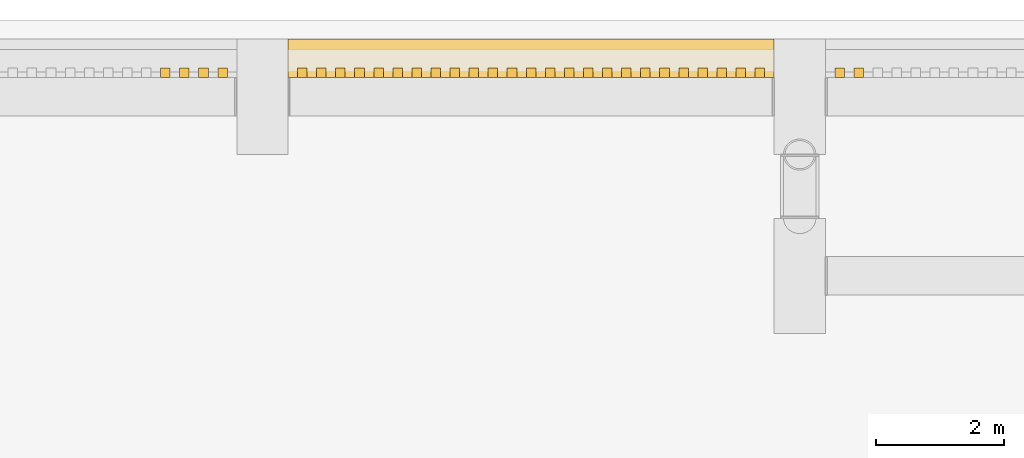
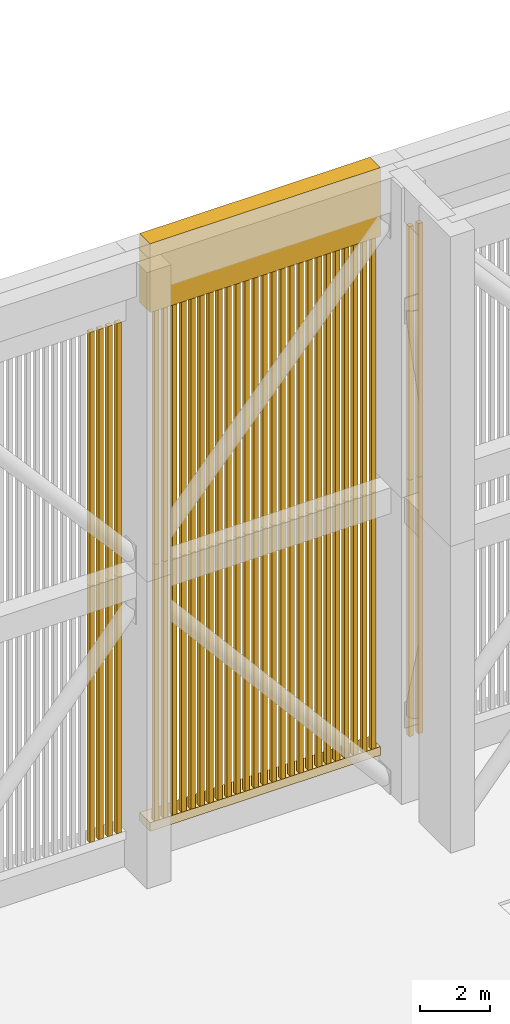
# One storey, part 23 of 27: 62 shading devices, 2 coverings.
"""IFC4 building model written with IfcOpenShell, lengths in metres."""

from ifc_helpers import new_model, si_unit, direction, frame, origin, origin_2d, place, context, subcontext, project, spatial, rectangle, extrude, material, layer, layer_set, type_object, element, save


model = new_model("IFC4")

# Units and contexts
model_context = context("Model", 3, precision=1e-05, world=origin(), true_north=direction((0.0, 1.0)))
body_context = subcontext(model_context, "Body", "Model", "MODEL_VIEW")
ifc_project = project(units=[si_unit("LENGTHUNIT", "METRE"), si_unit("AREAUNIT", "SQUARE_METRE"), si_unit("VOLUMEUNIT", "CUBIC_METRE"), si_unit("PLANEANGLEUNIT", "RADIAN"), si_unit("MASSUNIT", "GRAM", prefix="KILO")], contexts=[model_context])

# Site, building, storey
site_placement = place(None, origin())
site = spatial("IfcSite", under=ifc_project, at=site_placement, CompositionType="ELEMENT")
building_placement = place(site_placement, origin())
building = spatial("IfcBuilding", under=site, at=building_placement, Name="Claustro Exchange Tower", CompositionType="ELEMENT")
storey_placement = place(building_placement, frame((0.0, 0.0, 287.10009765625)))
storey = spatial("IfcBuildingStorey", under=building, at=storey_placement, Name="ROOF", CompositionType="ELEMENT", Elevation=287.10009765625)

# Coverings
ifc_material_1 = material(Name="Concrete HA-40 (C40/50), precast, white cement, acid-etched", Category="concrete")
ifc_layer = layer(ifc_material_1, 0.60009765625)
ifc_layer_set = layer_set([ifc_layer], Name="Concrete HA-40 (C40/50), precast, white cement, acid-etched")
covering_type = type_object("IfcCoveringType", Name="CC2 600 precast concrete crown moulding", PredefinedType="MOLDING", material=ifc_layer_set)
covering_1_placement = place(storey_placement, frame((29.39990234375, 45.400390625, 1.10009765625), z_axis=(0.0, 0.0, 1.0), x_axis=(1.0, 0.0, 0.0)))
element("IfcCovering", 1, at=covering_1_placement, inside=storey, type_object=covering_type, Name="CROWN SILL CC2 4/F+2800 - 5/F+2800", PredefinedType="MOLDING", context=body_context, shape_type="SweptSolid", body=[
    extrude(rectangle(XDim=7.59912109375, YDim=0.60009765625, at=origin_2d()), origin(), (0.0, 0.0, 1.0), 0.300048828125),
])
covering_2_placement = place(storey_placement, frame((29.39990234375, 45.400390625, 19.199951171875), z_axis=(0.0, 0.0, 1.0), x_axis=(1.0, 0.0, 0.0)))
element("IfcCovering", 2, at=covering_2_placement, inside=storey, type_object=covering_type, Name="CROWN CORNICE CC2 4/F+2800 - 5/F+2800", PredefinedType="MOLDING", context=body_context, shape_type="SweptSolid", body=[
    extrude(rectangle(XDim=7.59912109375, YDim=0.60009765625, at=origin_2d()), origin(), (0.0, 0.0, 1.0), 2.39990234375),
])

# Shading devices
ifc_material_2 = material(Name="Concrete HA-40 (C40/50), precast, white cement, acid-etched", Category="concrete")
shading_device_type = type_object("IfcShadingDeviceType", Name="LV1 150 x 150 precast concrete crown louvre", PredefinedType="USERDEFINED", material=ifc_material_2)
shading_device_1_placement = place(storey_placement, frame((23.682373046875, 45.175537109375, 1.39990234375), z_axis=(0.0, 0.0, 1.0), x_axis=(1.0, 0.0, 0.0)))
element("IfcShadingDevice", 3, at=shading_device_1_placement, inside=storey, type_object=shading_device_type, Name="CROWN LOUVRE LV1 3/F+2800 - 4/F+2800 22 lower", ObjectType="CROWN LOUVRE", PredefinedType="USERDEFINED", context=body_context, shape_type="SweptSolid", body=[
    extrude(rectangle(XDim=0.14990234375, YDim=0.14990234375, at=origin_2d()), origin(), (0.0, 0.0, 1.0), 8.949951171875),
])
shading_device_2_placement = place(storey_placement, frame((23.682373046875, 45.175537109375, 10.349853515625), z_axis=(0.0, 0.0, 1.0), x_axis=(1.0, 0.0, 0.0)))
element("IfcShadingDevice", 4, at=shading_device_2_placement, inside=storey, type_object=shading_device_type, Name="CROWN LOUVRE LV1 3/F+2800 - 4/F+2800 22 upper", ObjectType="CROWN LOUVRE", PredefinedType="USERDEFINED", context=body_context, shape_type="SweptSolid", body=[
    extrude(rectangle(XDim=0.14990234375, YDim=0.14990234375, at=origin_2d()), origin(), (0.0, 0.0, 1.0), 8.85009765625),
])
shading_device_3_placement = place(storey_placement, frame((23.98046875, 45.175537109375, 1.39990234375), z_axis=(0.0, 0.0, 1.0), x_axis=(1.0, 0.0, 0.0)))
element("IfcShadingDevice", 5, at=shading_device_3_placement, inside=storey, type_object=shading_device_type, Name="CROWN LOUVRE LV1 3/F+2800 - 4/F+2800 23 lower", ObjectType="CROWN LOUVRE", PredefinedType="USERDEFINED", context=body_context, shape_type="SweptSolid", body=[
    extrude(rectangle(XDim=0.14990234375, YDim=0.14990234375, at=origin_2d()), origin(), (0.0, 0.0, 1.0), 8.949951171875),
])
shading_device_4_placement = place(storey_placement, frame((23.98046875, 45.175537109375, 10.349853515625), z_axis=(0.0, 0.0, 1.0), x_axis=(1.0, 0.0, 0.0)))
element("IfcShadingDevice", 6, at=shading_device_4_placement, inside=storey, type_object=shading_device_type, Name="CROWN LOUVRE LV1 3/F+2800 - 4/F+2800 23 upper", ObjectType="CROWN LOUVRE", PredefinedType="USERDEFINED", context=body_context, shape_type="SweptSolid", body=[
    extrude(rectangle(XDim=0.14990234375, YDim=0.14990234375, at=origin_2d()), origin(), (0.0, 0.0, 1.0), 8.85009765625),
])
shading_device_5_placement = place(storey_placement, frame((24.2783203125, 45.175537109375, 1.39990234375), z_axis=(0.0, 0.0, 1.0), x_axis=(1.0, 0.0, 0.0)))
element("IfcShadingDevice", 7, at=shading_device_5_placement, inside=storey, type_object=shading_device_type, Name="CROWN LOUVRE LV1 3/F+2800 - 4/F+2800 24 lower", ObjectType="CROWN LOUVRE", PredefinedType="USERDEFINED", context=body_context, shape_type="SweptSolid", body=[
    extrude(rectangle(XDim=0.14990234375, YDim=0.14990234375, at=origin_2d()), origin(), (0.0, 0.0, 1.0), 8.949951171875),
])
shading_device_6_placement = place(storey_placement, frame((24.2783203125, 45.175537109375, 10.349853515625), z_axis=(0.0, 0.0, 1.0), x_axis=(1.0, 0.0, 0.0)))
element("IfcShadingDevice", 8, at=shading_device_6_placement, inside=storey, type_object=shading_device_type, Name="CROWN LOUVRE LV1 3/F+2800 - 4/F+2800 24 upper", ObjectType="CROWN LOUVRE", PredefinedType="USERDEFINED", context=body_context, shape_type="SweptSolid", body=[
    extrude(rectangle(XDim=0.14990234375, YDim=0.14990234375, at=origin_2d()), origin(), (0.0, 0.0, 1.0), 8.85009765625),
])
shading_device_7_placement = place(storey_placement, frame((24.576416015625, 45.175537109375, 1.39990234375), z_axis=(0.0, 0.0, 1.0), x_axis=(1.0, 0.0, 0.0)))
element("IfcShadingDevice", 9, at=shading_device_7_placement, inside=storey, type_object=shading_device_type, Name="CROWN LOUVRE LV1 3/F+2800 - 4/F+2800 25 lower", ObjectType="CROWN LOUVRE", PredefinedType="USERDEFINED", context=body_context, shape_type="SweptSolid", body=[
    extrude(rectangle(XDim=0.14990234375, YDim=0.14990234375, at=origin_2d()), origin(), (0.0, 0.0, 1.0), 8.949951171875),
])
shading_device_8_placement = place(storey_placement, frame((24.576416015625, 45.175537109375, 10.349853515625), z_axis=(0.0, 0.0, 1.0), x_axis=(1.0, 0.0, 0.0)))
element("IfcShadingDevice", 10, at=shading_device_8_placement, inside=storey, type_object=shading_device_type, Name="CROWN LOUVRE LV1 3/F+2800 - 4/F+2800 25 upper", ObjectType="CROWN LOUVRE", PredefinedType="USERDEFINED", context=body_context, shape_type="SweptSolid", body=[
    extrude(rectangle(XDim=0.14990234375, YDim=0.14990234375, at=origin_2d()), origin(), (0.0, 0.0, 1.0), 8.85009765625),
])
shading_device_9_placement = place(storey_placement, frame((25.823486328125, 45.175537109375, 1.39990234375), z_axis=(0.0, 0.0, 1.0), x_axis=(1.0, 0.0, 0.0)))
element("IfcShadingDevice", 11, at=shading_device_9_placement, inside=storey, type_object=shading_device_type, Name="CROWN LOUVRE LV1 4/F+2800 - 5/F+2800 01 lower", ObjectType="CROWN LOUVRE", PredefinedType="USERDEFINED", context=body_context, shape_type="SweptSolid", body=[
    extrude(rectangle(XDim=0.14990234375, YDim=0.14990234375, at=origin_2d()), origin(), (0.0, 0.0, 1.0), 8.949951171875),
])
shading_device_10_placement = place(storey_placement, frame((25.823486328125, 45.175537109375, 10.349853515625), z_axis=(0.0, 0.0, 1.0), x_axis=(1.0, 0.0, 0.0)))
element("IfcShadingDevice", 12, at=shading_device_10_placement, inside=storey, type_object=shading_device_type, Name="CROWN LOUVRE LV1 4/F+2800 - 5/F+2800 01 upper", ObjectType="CROWN LOUVRE", PredefinedType="USERDEFINED", context=body_context, shape_type="SweptSolid", body=[
    extrude(rectangle(XDim=0.14990234375, YDim=0.14990234375, at=origin_2d()), origin(), (0.0, 0.0, 1.0), 8.85009765625),
])
shading_device_11_placement = place(storey_placement, frame((26.12158203125, 45.175537109375, 1.39990234375), z_axis=(0.0, 0.0, 1.0), x_axis=(1.0, 0.0, 0.0)))
element("IfcShadingDevice", 13, at=shading_device_11_placement, inside=storey, type_object=shading_device_type, Name="CROWN LOUVRE LV1 4/F+2800 - 5/F+2800 02 lower", ObjectType="CROWN LOUVRE", PredefinedType="USERDEFINED", context=body_context, shape_type="SweptSolid", body=[
    extrude(rectangle(XDim=0.14990234375, YDim=0.14990234375, at=origin_2d()), origin(), (0.0, 0.0, 1.0), 8.949951171875),
])
shading_device_12_placement = place(storey_placement, frame((26.12158203125, 45.175537109375, 10.349853515625), z_axis=(0.0, 0.0, 1.0), x_axis=(1.0, 0.0, 0.0)))
element("IfcShadingDevice", 14, at=shading_device_12_placement, inside=storey, type_object=shading_device_type, Name="CROWN LOUVRE LV1 4/F+2800 - 5/F+2800 02 upper", ObjectType="CROWN LOUVRE", PredefinedType="USERDEFINED", context=body_context, shape_type="SweptSolid", body=[
    extrude(rectangle(XDim=0.14990234375, YDim=0.14990234375, at=origin_2d()), origin(), (0.0, 0.0, 1.0), 8.85009765625),
])
shading_device_13_placement = place(storey_placement, frame((26.419677734375, 45.175537109375, 1.39990234375), z_axis=(0.0, 0.0, 1.0), x_axis=(1.0, 0.0, 0.0)))
element("IfcShadingDevice", 15, at=shading_device_13_placement, inside=storey, type_object=shading_device_type, Name="CROWN LOUVRE LV1 4/F+2800 - 5/F+2800 03 lower", ObjectType="CROWN LOUVRE", PredefinedType="USERDEFINED", context=body_context, shape_type="SweptSolid", body=[
    extrude(rectangle(XDim=0.14990234375, YDim=0.14990234375, at=origin_2d()), origin(), (0.0, 0.0, 1.0), 8.949951171875),
])
shading_device_14_placement = place(storey_placement, frame((26.419677734375, 45.175537109375, 10.349853515625), z_axis=(0.0, 0.0, 1.0), x_axis=(1.0, 0.0, 0.0)))
element("IfcShadingDevice", 16, at=shading_device_14_placement, inside=storey, type_object=shading_device_type, Name="CROWN LOUVRE LV1 4/F+2800 - 5/F+2800 03 upper", ObjectType="CROWN LOUVRE", PredefinedType="USERDEFINED", context=body_context, shape_type="SweptSolid", body=[
    extrude(rectangle(XDim=0.14990234375, YDim=0.14990234375, at=origin_2d()), origin(), (0.0, 0.0, 1.0), 8.85009765625),
])
shading_device_15_placement = place(storey_placement, frame((26.7177734375, 45.175537109375, 1.39990234375), z_axis=(0.0, 0.0, 1.0), x_axis=(1.0, 0.0, 0.0)))
element("IfcShadingDevice", 17, at=shading_device_15_placement, inside=storey, type_object=shading_device_type, Name="CROWN LOUVRE LV1 4/F+2800 - 5/F+2800 04 lower", ObjectType="CROWN LOUVRE", PredefinedType="USERDEFINED", context=body_context, shape_type="SweptSolid", body=[
    extrude(rectangle(XDim=0.14990234375, YDim=0.14990234375, at=origin_2d()), origin(), (0.0, 0.0, 1.0), 8.949951171875),
])
shading_device_16_placement = place(storey_placement, frame((26.7177734375, 45.175537109375, 10.349853515625), z_axis=(0.0, 0.0, 1.0), x_axis=(1.0, 0.0, 0.0)))
element("IfcShadingDevice", 18, at=shading_device_16_placement, inside=storey, type_object=shading_device_type, Name="CROWN LOUVRE LV1 4/F+2800 - 5/F+2800 04 upper", ObjectType="CROWN LOUVRE", PredefinedType="USERDEFINED", context=body_context, shape_type="SweptSolid", body=[
    extrude(rectangle(XDim=0.14990234375, YDim=0.14990234375, at=origin_2d()), origin(), (0.0, 0.0, 1.0), 8.85009765625),
])
shading_device_17_placement = place(storey_placement, frame((27.015625, 45.175537109375, 1.39990234375), z_axis=(0.0, 0.0, 1.0), x_axis=(1.0, 0.0, 0.0)))
element("IfcShadingDevice", 19, at=shading_device_17_placement, inside=storey, type_object=shading_device_type, Name="CROWN LOUVRE LV1 4/F+2800 - 5/F+2800 05 lower", ObjectType="CROWN LOUVRE", PredefinedType="USERDEFINED", context=body_context, shape_type="SweptSolid", body=[
    extrude(rectangle(XDim=0.14990234375, YDim=0.14990234375, at=origin_2d()), origin(), (0.0, 0.0, 1.0), 8.949951171875),
])
shading_device_18_placement = place(storey_placement, frame((27.015625, 45.175537109375, 10.349853515625), z_axis=(0.0, 0.0, 1.0), x_axis=(1.0, 0.0, 0.0)))
element("IfcShadingDevice", 20, at=shading_device_18_placement, inside=storey, type_object=shading_device_type, Name="CROWN LOUVRE LV1 4/F+2800 - 5/F+2800 05 upper", ObjectType="CROWN LOUVRE", PredefinedType="USERDEFINED", context=body_context, shape_type="SweptSolid", body=[
    extrude(rectangle(XDim=0.14990234375, YDim=0.14990234375, at=origin_2d()), origin(), (0.0, 0.0, 1.0), 8.85009765625),
])
shading_device_19_placement = place(storey_placement, frame((27.313720703125, 45.175537109375, 1.39990234375), z_axis=(0.0, 0.0, 1.0), x_axis=(1.0, 0.0, 0.0)))
element("IfcShadingDevice", 21, at=shading_device_19_placement, inside=storey, type_object=shading_device_type, Name="CROWN LOUVRE LV1 4/F+2800 - 5/F+2800 06 lower", ObjectType="CROWN LOUVRE", PredefinedType="USERDEFINED", context=body_context, shape_type="SweptSolid", body=[
    extrude(rectangle(XDim=0.14990234375, YDim=0.14990234375, at=origin_2d()), origin(), (0.0, 0.0, 1.0), 8.949951171875),
])
shading_device_20_placement = place(storey_placement, frame((27.313720703125, 45.175537109375, 10.349853515625), z_axis=(0.0, 0.0, 1.0), x_axis=(1.0, 0.0, 0.0)))
element("IfcShadingDevice", 22, at=shading_device_20_placement, inside=storey, type_object=shading_device_type, Name="CROWN LOUVRE LV1 4/F+2800 - 5/F+2800 06 upper", ObjectType="CROWN LOUVRE", PredefinedType="USERDEFINED", context=body_context, shape_type="SweptSolid", body=[
    extrude(rectangle(XDim=0.14990234375, YDim=0.14990234375, at=origin_2d()), origin(), (0.0, 0.0, 1.0), 8.85009765625),
])
shading_device_21_placement = place(storey_placement, frame((27.61181640625, 45.175537109375, 1.39990234375), z_axis=(0.0, 0.0, 1.0), x_axis=(1.0, 0.0, 0.0)))
element("IfcShadingDevice", 23, at=shading_device_21_placement, inside=storey, type_object=shading_device_type, Name="CROWN LOUVRE LV1 4/F+2800 - 5/F+2800 07 lower", ObjectType="CROWN LOUVRE", PredefinedType="USERDEFINED", context=body_context, shape_type="SweptSolid", body=[
    extrude(rectangle(XDim=0.14990234375, YDim=0.14990234375, at=origin_2d()), origin(), (0.0, 0.0, 1.0), 8.949951171875),
])
shading_device_22_placement = place(storey_placement, frame((27.61181640625, 45.175537109375, 10.349853515625), z_axis=(0.0, 0.0, 1.0), x_axis=(1.0, 0.0, 0.0)))
element("IfcShadingDevice", 24, at=shading_device_22_placement, inside=storey, type_object=shading_device_type, Name="CROWN LOUVRE LV1 4/F+2800 - 5/F+2800 07 upper", ObjectType="CROWN LOUVRE", PredefinedType="USERDEFINED", context=body_context, shape_type="SweptSolid", body=[
    extrude(rectangle(XDim=0.14990234375, YDim=0.14990234375, at=origin_2d()), origin(), (0.0, 0.0, 1.0), 8.85009765625),
])
shading_device_23_placement = place(storey_placement, frame((27.909912109375, 45.175537109375, 1.39990234375), z_axis=(0.0, 0.0, 1.0), x_axis=(1.0, 0.0, 0.0)))
element("IfcShadingDevice", 25, at=shading_device_23_placement, inside=storey, type_object=shading_device_type, Name="CROWN LOUVRE LV1 4/F+2800 - 5/F+2800 08 lower", ObjectType="CROWN LOUVRE", PredefinedType="USERDEFINED", context=body_context, shape_type="SweptSolid", body=[
    extrude(rectangle(XDim=0.14990234375, YDim=0.14990234375, at=origin_2d()), origin(), (0.0, 0.0, 1.0), 8.949951171875),
])
shading_device_24_placement = place(storey_placement, frame((27.909912109375, 45.175537109375, 10.349853515625), z_axis=(0.0, 0.0, 1.0), x_axis=(1.0, 0.0, 0.0)))
element("IfcShadingDevice", 26, at=shading_device_24_placement, inside=storey, type_object=shading_device_type, Name="CROWN LOUVRE LV1 4/F+2800 - 5/F+2800 08 upper", ObjectType="CROWN LOUVRE", PredefinedType="USERDEFINED", context=body_context, shape_type="SweptSolid", body=[
    extrude(rectangle(XDim=0.14990234375, YDim=0.14990234375, at=origin_2d()), origin(), (0.0, 0.0, 1.0), 8.85009765625),
])
shading_device_25_placement = place(storey_placement, frame((28.207763671875, 45.175537109375, 1.39990234375), z_axis=(0.0, 0.0, 1.0), x_axis=(1.0, 0.0, 0.0)))
element("IfcShadingDevice", 27, at=shading_device_25_placement, inside=storey, type_object=shading_device_type, Name="CROWN LOUVRE LV1 4/F+2800 - 5/F+2800 09 lower", ObjectType="CROWN LOUVRE", PredefinedType="USERDEFINED", context=body_context, shape_type="SweptSolid", body=[
    extrude(rectangle(XDim=0.14990234375, YDim=0.14990234375, at=origin_2d()), origin(), (0.0, 0.0, 1.0), 8.949951171875),
])
shading_device_26_placement = place(storey_placement, frame((28.207763671875, 45.175537109375, 10.349853515625), z_axis=(0.0, 0.0, 1.0), x_axis=(1.0, 0.0, 0.0)))
element("IfcShadingDevice", 28, at=shading_device_26_placement, inside=storey, type_object=shading_device_type, Name="CROWN LOUVRE LV1 4/F+2800 - 5/F+2800 09 upper", ObjectType="CROWN LOUVRE", PredefinedType="USERDEFINED", context=body_context, shape_type="SweptSolid", body=[
    extrude(rectangle(XDim=0.14990234375, YDim=0.14990234375, at=origin_2d()), origin(), (0.0, 0.0, 1.0), 8.85009765625),
])
shading_device_27_placement = place(storey_placement, frame((28.505859375, 45.175537109375, 1.39990234375), z_axis=(0.0, 0.0, 1.0), x_axis=(1.0, 0.0, 0.0)))
element("IfcShadingDevice", 29, at=shading_device_27_placement, inside=storey, type_object=shading_device_type, Name="CROWN LOUVRE LV1 4/F+2800 - 5/F+2800 10 lower", ObjectType="CROWN LOUVRE", PredefinedType="USERDEFINED", context=body_context, shape_type="SweptSolid", body=[
    extrude(rectangle(XDim=0.14990234375, YDim=0.14990234375, at=origin_2d()), origin(), (0.0, 0.0, 1.0), 8.949951171875),
])
shading_device_28_placement = place(storey_placement, frame((28.505859375, 45.175537109375, 10.349853515625), z_axis=(0.0, 0.0, 1.0), x_axis=(1.0, 0.0, 0.0)))
element("IfcShadingDevice", 30, at=shading_device_28_placement, inside=storey, type_object=shading_device_type, Name="CROWN LOUVRE LV1 4/F+2800 - 5/F+2800 10 upper", ObjectType="CROWN LOUVRE", PredefinedType="USERDEFINED", context=body_context, shape_type="SweptSolid", body=[
    extrude(rectangle(XDim=0.14990234375, YDim=0.14990234375, at=origin_2d()), origin(), (0.0, 0.0, 1.0), 8.85009765625),
])
shading_device_29_placement = place(storey_placement, frame((28.803955078125, 45.175537109375, 1.39990234375), z_axis=(0.0, 0.0, 1.0), x_axis=(1.0, 0.0, 0.0)))
element("IfcShadingDevice", 31, at=shading_device_29_placement, inside=storey, type_object=shading_device_type, Name="CROWN LOUVRE LV1 4/F+2800 - 5/F+2800 11 lower", ObjectType="CROWN LOUVRE", PredefinedType="USERDEFINED", context=body_context, shape_type="SweptSolid", body=[
    extrude(rectangle(XDim=0.14990234375, YDim=0.14990234375, at=origin_2d()), origin(), (0.0, 0.0, 1.0), 8.949951171875),
])
shading_device_30_placement = place(storey_placement, frame((28.803955078125, 45.175537109375, 10.349853515625), z_axis=(0.0, 0.0, 1.0), x_axis=(1.0, 0.0, 0.0)))
element("IfcShadingDevice", 32, at=shading_device_30_placement, inside=storey, type_object=shading_device_type, Name="CROWN LOUVRE LV1 4/F+2800 - 5/F+2800 11 upper", ObjectType="CROWN LOUVRE", PredefinedType="USERDEFINED", context=body_context, shape_type="SweptSolid", body=[
    extrude(rectangle(XDim=0.14990234375, YDim=0.14990234375, at=origin_2d()), origin(), (0.0, 0.0, 1.0), 8.85009765625),
])
shading_device_31_placement = place(storey_placement, frame((29.10205078125, 45.175537109375, 1.39990234375), z_axis=(0.0, 0.0, 1.0), x_axis=(1.0, 0.0, 0.0)))
element("IfcShadingDevice", 33, at=shading_device_31_placement, inside=storey, type_object=shading_device_type, Name="CROWN LOUVRE LV1 4/F+2800 - 5/F+2800 12 lower", ObjectType="CROWN LOUVRE", PredefinedType="USERDEFINED", context=body_context, shape_type="SweptSolid", body=[
    extrude(rectangle(XDim=0.14990234375, YDim=0.14990234375, at=origin_2d()), origin(), (0.0, 0.0, 1.0), 8.949951171875),
])
shading_device_32_placement = place(storey_placement, frame((29.10205078125, 45.175537109375, 10.349853515625), z_axis=(0.0, 0.0, 1.0), x_axis=(1.0, 0.0, 0.0)))
element("IfcShadingDevice", 34, at=shading_device_32_placement, inside=storey, type_object=shading_device_type, Name="CROWN LOUVRE LV1 4/F+2800 - 5/F+2800 12 upper", ObjectType="CROWN LOUVRE", PredefinedType="USERDEFINED", context=body_context, shape_type="SweptSolid", body=[
    extrude(rectangle(XDim=0.14990234375, YDim=0.14990234375, at=origin_2d()), origin(), (0.0, 0.0, 1.0), 8.85009765625),
])
shading_device_33_placement = place(storey_placement, frame((29.39990234375, 45.175537109375, 1.39990234375), z_axis=(0.0, 0.0, 1.0), x_axis=(1.0, 0.0, 0.0)))
element("IfcShadingDevice", 35, at=shading_device_33_placement, inside=storey, type_object=shading_device_type, Name="CROWN LOUVRE LV1 4/F+2800 - 5/F+2800 13 lower", ObjectType="CROWN LOUVRE", PredefinedType="USERDEFINED", context=body_context, shape_type="SweptSolid", body=[
    extrude(rectangle(XDim=0.14990234375, YDim=0.14990234375, at=origin_2d()), origin(), (0.0, 0.0, 1.0), 8.949951171875),
])
shading_device_34_placement = place(storey_placement, frame((29.39990234375, 45.175537109375, 10.349853515625), z_axis=(0.0, 0.0, 1.0), x_axis=(1.0, 0.0, 0.0)))
element("IfcShadingDevice", 36, at=shading_device_34_placement, inside=storey, type_object=shading_device_type, Name="CROWN LOUVRE LV1 4/F+2800 - 5/F+2800 13 upper", ObjectType="CROWN LOUVRE", PredefinedType="USERDEFINED", context=body_context, shape_type="SweptSolid", body=[
    extrude(rectangle(XDim=0.14990234375, YDim=0.14990234375, at=origin_2d()), origin(), (0.0, 0.0, 1.0), 8.85009765625),
])
shading_device_35_placement = place(storey_placement, frame((29.697998046875, 45.175537109375, 1.39990234375), z_axis=(0.0, 0.0, 1.0), x_axis=(1.0, 0.0, 0.0)))
element("IfcShadingDevice", 37, at=shading_device_35_placement, inside=storey, type_object=shading_device_type, Name="CROWN LOUVRE LV1 4/F+2800 - 5/F+2800 14 lower", ObjectType="CROWN LOUVRE", PredefinedType="USERDEFINED", context=body_context, shape_type="SweptSolid", body=[
    extrude(rectangle(XDim=0.14990234375, YDim=0.14990234375, at=origin_2d()), origin(), (0.0, 0.0, 1.0), 8.949951171875),
])
shading_device_36_placement = place(storey_placement, frame((29.697998046875, 45.175537109375, 10.349853515625), z_axis=(0.0, 0.0, 1.0), x_axis=(1.0, 0.0, 0.0)))
element("IfcShadingDevice", 38, at=shading_device_36_placement, inside=storey, type_object=shading_device_type, Name="CROWN LOUVRE LV1 4/F+2800 - 5/F+2800 14 upper", ObjectType="CROWN LOUVRE", PredefinedType="USERDEFINED", context=body_context, shape_type="SweptSolid", body=[
    extrude(rectangle(XDim=0.14990234375, YDim=0.14990234375, at=origin_2d()), origin(), (0.0, 0.0, 1.0), 8.85009765625),
])
shading_device_37_placement = place(storey_placement, frame((29.99609375, 45.175537109375, 1.39990234375), z_axis=(0.0, 0.0, 1.0), x_axis=(1.0, 0.0, 0.0)))
element("IfcShadingDevice", 39, at=shading_device_37_placement, inside=storey, type_object=shading_device_type, Name="CROWN LOUVRE LV1 4/F+2800 - 5/F+2800 15 lower", ObjectType="CROWN LOUVRE", PredefinedType="USERDEFINED", context=body_context, shape_type="SweptSolid", body=[
    extrude(rectangle(XDim=0.14990234375, YDim=0.14990234375, at=origin_2d()), origin(), (0.0, 0.0, 1.0), 8.949951171875),
])
shading_device_38_placement = place(storey_placement, frame((29.99609375, 45.175537109375, 10.349853515625), z_axis=(0.0, 0.0, 1.0), x_axis=(1.0, 0.0, 0.0)))
element("IfcShadingDevice", 40, at=shading_device_38_placement, inside=storey, type_object=shading_device_type, Name="CROWN LOUVRE LV1 4/F+2800 - 5/F+2800 15 upper", ObjectType="CROWN LOUVRE", PredefinedType="USERDEFINED", context=body_context, shape_type="SweptSolid", body=[
    extrude(rectangle(XDim=0.14990234375, YDim=0.14990234375, at=origin_2d()), origin(), (0.0, 0.0, 1.0), 8.85009765625),
])
shading_device_39_placement = place(storey_placement, frame((30.294189453125, 45.175537109375, 1.39990234375), z_axis=(0.0, 0.0, 1.0), x_axis=(1.0, 0.0, 0.0)))
element("IfcShadingDevice", 41, at=shading_device_39_placement, inside=storey, type_object=shading_device_type, Name="CROWN LOUVRE LV1 4/F+2800 - 5/F+2800 16 lower", ObjectType="CROWN LOUVRE", PredefinedType="USERDEFINED", context=body_context, shape_type="SweptSolid", body=[
    extrude(rectangle(XDim=0.14990234375, YDim=0.14990234375, at=origin_2d()), origin(), (0.0, 0.0, 1.0), 8.949951171875),
])
shading_device_40_placement = place(storey_placement, frame((30.294189453125, 45.175537109375, 10.349853515625), z_axis=(0.0, 0.0, 1.0), x_axis=(1.0, 0.0, 0.0)))
element("IfcShadingDevice", 42, at=shading_device_40_placement, inside=storey, type_object=shading_device_type, Name="CROWN LOUVRE LV1 4/F+2800 - 5/F+2800 16 upper", ObjectType="CROWN LOUVRE", PredefinedType="USERDEFINED", context=body_context, shape_type="SweptSolid", body=[
    extrude(rectangle(XDim=0.14990234375, YDim=0.14990234375, at=origin_2d()), origin(), (0.0, 0.0, 1.0), 8.85009765625),
])
shading_device_41_placement = place(storey_placement, frame((30.59228515625, 45.175537109375, 1.39990234375), z_axis=(0.0, 0.0, 1.0), x_axis=(1.0, 0.0, 0.0)))
element("IfcShadingDevice", 43, at=shading_device_41_placement, inside=storey, type_object=shading_device_type, Name="CROWN LOUVRE LV1 4/F+2800 - 5/F+2800 17 lower", ObjectType="CROWN LOUVRE", PredefinedType="USERDEFINED", context=body_context, shape_type="SweptSolid", body=[
    extrude(rectangle(XDim=0.14990234375, YDim=0.14990234375, at=origin_2d()), origin(), (0.0, 0.0, 1.0), 8.949951171875),
])
shading_device_42_placement = place(storey_placement, frame((30.59228515625, 45.175537109375, 10.349853515625), z_axis=(0.0, 0.0, 1.0), x_axis=(1.0, 0.0, 0.0)))
element("IfcShadingDevice", 44, at=shading_device_42_placement, inside=storey, type_object=shading_device_type, Name="CROWN LOUVRE LV1 4/F+2800 - 5/F+2800 17 upper", ObjectType="CROWN LOUVRE", PredefinedType="USERDEFINED", context=body_context, shape_type="SweptSolid", body=[
    extrude(rectangle(XDim=0.14990234375, YDim=0.14990234375, at=origin_2d()), origin(), (0.0, 0.0, 1.0), 8.85009765625),
])
shading_device_43_placement = place(storey_placement, frame((30.89013671875, 45.175537109375, 1.39990234375), z_axis=(0.0, 0.0, 1.0), x_axis=(1.0, 0.0, 0.0)))
element("IfcShadingDevice", 45, at=shading_device_43_placement, inside=storey, type_object=shading_device_type, Name="CROWN LOUVRE LV1 4/F+2800 - 5/F+2800 18 lower", ObjectType="CROWN LOUVRE", PredefinedType="USERDEFINED", context=body_context, shape_type="SweptSolid", body=[
    extrude(rectangle(XDim=0.14990234375, YDim=0.14990234375, at=origin_2d()), origin(), (0.0, 0.0, 1.0), 8.949951171875),
])
shading_device_44_placement = place(storey_placement, frame((30.89013671875, 45.175537109375, 10.349853515625), z_axis=(0.0, 0.0, 1.0), x_axis=(1.0, 0.0, 0.0)))
element("IfcShadingDevice", 46, at=shading_device_44_placement, inside=storey, type_object=shading_device_type, Name="CROWN LOUVRE LV1 4/F+2800 - 5/F+2800 18 upper", ObjectType="CROWN LOUVRE", PredefinedType="USERDEFINED", context=body_context, shape_type="SweptSolid", body=[
    extrude(rectangle(XDim=0.14990234375, YDim=0.14990234375, at=origin_2d()), origin(), (0.0, 0.0, 1.0), 8.85009765625),
])
shading_device_45_placement = place(storey_placement, frame((31.188232421875, 45.175537109375, 1.39990234375), z_axis=(0.0, 0.0, 1.0), x_axis=(1.0, 0.0, 0.0)))
element("IfcShadingDevice", 47, at=shading_device_45_placement, inside=storey, type_object=shading_device_type, Name="CROWN LOUVRE LV1 4/F+2800 - 5/F+2800 19 lower", ObjectType="CROWN LOUVRE", PredefinedType="USERDEFINED", context=body_context, shape_type="SweptSolid", body=[
    extrude(rectangle(XDim=0.14990234375, YDim=0.14990234375, at=origin_2d()), origin(), (0.0, 0.0, 1.0), 8.949951171875),
])
shading_device_46_placement = place(storey_placement, frame((31.188232421875, 45.175537109375, 10.349853515625), z_axis=(0.0, 0.0, 1.0), x_axis=(1.0, 0.0, 0.0)))
element("IfcShadingDevice", 48, at=shading_device_46_placement, inside=storey, type_object=shading_device_type, Name="CROWN LOUVRE LV1 4/F+2800 - 5/F+2800 19 upper", ObjectType="CROWN LOUVRE", PredefinedType="USERDEFINED", context=body_context, shape_type="SweptSolid", body=[
    extrude(rectangle(XDim=0.14990234375, YDim=0.14990234375, at=origin_2d()), origin(), (0.0, 0.0, 1.0), 8.85009765625),
])
shading_device_47_placement = place(storey_placement, frame((31.486328125, 45.175537109375, 1.39990234375), z_axis=(0.0, 0.0, 1.0), x_axis=(1.0, 0.0, 0.0)))
element("IfcShadingDevice", 49, at=shading_device_47_placement, inside=storey, type_object=shading_device_type, Name="CROWN LOUVRE LV1 4/F+2800 - 5/F+2800 20 lower", ObjectType="CROWN LOUVRE", PredefinedType="USERDEFINED", context=body_context, shape_type="SweptSolid", body=[
    extrude(rectangle(XDim=0.14990234375, YDim=0.14990234375, at=origin_2d()), origin(), (0.0, 0.0, 1.0), 8.949951171875),
])
shading_device_48_placement = place(storey_placement, frame((31.486328125, 45.175537109375, 10.349853515625), z_axis=(0.0, 0.0, 1.0), x_axis=(1.0, 0.0, 0.0)))
element("IfcShadingDevice", 50, at=shading_device_48_placement, inside=storey, type_object=shading_device_type, Name="CROWN LOUVRE LV1 4/F+2800 - 5/F+2800 20 upper", ObjectType="CROWN LOUVRE", PredefinedType="USERDEFINED", context=body_context, shape_type="SweptSolid", body=[
    extrude(rectangle(XDim=0.14990234375, YDim=0.14990234375, at=origin_2d()), origin(), (0.0, 0.0, 1.0), 8.85009765625),
])
shading_device_49_placement = place(storey_placement, frame((31.7841796875, 45.175537109375, 1.39990234375), z_axis=(0.0, 0.0, 1.0), x_axis=(1.0, 0.0, 0.0)))
element("IfcShadingDevice", 51, at=shading_device_49_placement, inside=storey, type_object=shading_device_type, Name="CROWN LOUVRE LV1 4/F+2800 - 5/F+2800 21 lower", ObjectType="CROWN LOUVRE", PredefinedType="USERDEFINED", context=body_context, shape_type="SweptSolid", body=[
    extrude(rectangle(XDim=0.14990234375, YDim=0.14990234375, at=origin_2d()), origin(), (0.0, 0.0, 1.0), 8.949951171875),
])
shading_device_50_placement = place(storey_placement, frame((31.7841796875, 45.175537109375, 10.349853515625), z_axis=(0.0, 0.0, 1.0), x_axis=(1.0, 0.0, 0.0)))
element("IfcShadingDevice", 52, at=shading_device_50_placement, inside=storey, type_object=shading_device_type, Name="CROWN LOUVRE LV1 4/F+2800 - 5/F+2800 21 upper", ObjectType="CROWN LOUVRE", PredefinedType="USERDEFINED", context=body_context, shape_type="SweptSolid", body=[
    extrude(rectangle(XDim=0.14990234375, YDim=0.14990234375, at=origin_2d()), origin(), (0.0, 0.0, 1.0), 8.85009765625),
])
shading_device_51_placement = place(storey_placement, frame((32.082275390625, 45.175537109375, 1.39990234375), z_axis=(0.0, 0.0, 1.0), x_axis=(1.0, 0.0, 0.0)))
element("IfcShadingDevice", 53, at=shading_device_51_placement, inside=storey, type_object=shading_device_type, Name="CROWN LOUVRE LV1 4/F+2800 - 5/F+2800 22 lower", ObjectType="CROWN LOUVRE", PredefinedType="USERDEFINED", context=body_context, shape_type="SweptSolid", body=[
    extrude(rectangle(XDim=0.14990234375, YDim=0.14990234375, at=origin_2d()), origin(), (0.0, 0.0, 1.0), 8.949951171875),
])
shading_device_52_placement = place(storey_placement, frame((32.082275390625, 45.175537109375, 10.349853515625), z_axis=(0.0, 0.0, 1.0), x_axis=(1.0, 0.0, 0.0)))
element("IfcShadingDevice", 54, at=shading_device_52_placement, inside=storey, type_object=shading_device_type, Name="CROWN LOUVRE LV1 4/F+2800 - 5/F+2800 22 upper", ObjectType="CROWN LOUVRE", PredefinedType="USERDEFINED", context=body_context, shape_type="SweptSolid", body=[
    extrude(rectangle(XDim=0.14990234375, YDim=0.14990234375, at=origin_2d()), origin(), (0.0, 0.0, 1.0), 8.85009765625),
])
shading_device_53_placement = place(storey_placement, frame((32.38037109375, 45.175537109375, 1.39990234375), z_axis=(0.0, 0.0, 1.0), x_axis=(1.0, 0.0, 0.0)))
element("IfcShadingDevice", 55, at=shading_device_53_placement, inside=storey, type_object=shading_device_type, Name="CROWN LOUVRE LV1 4/F+2800 - 5/F+2800 23 lower", ObjectType="CROWN LOUVRE", PredefinedType="USERDEFINED", context=body_context, shape_type="SweptSolid", body=[
    extrude(rectangle(XDim=0.14990234375, YDim=0.14990234375, at=origin_2d()), origin(), (0.0, 0.0, 1.0), 8.949951171875),
])
shading_device_54_placement = place(storey_placement, frame((32.38037109375, 45.175537109375, 10.349853515625), z_axis=(0.0, 0.0, 1.0), x_axis=(1.0, 0.0, 0.0)))
element("IfcShadingDevice", 56, at=shading_device_54_placement, inside=storey, type_object=shading_device_type, Name="CROWN LOUVRE LV1 4/F+2800 - 5/F+2800 23 upper", ObjectType="CROWN LOUVRE", PredefinedType="USERDEFINED", context=body_context, shape_type="SweptSolid", body=[
    extrude(rectangle(XDim=0.14990234375, YDim=0.14990234375, at=origin_2d()), origin(), (0.0, 0.0, 1.0), 8.85009765625),
])
shading_device_55_placement = place(storey_placement, frame((32.678466796875, 45.175537109375, 1.39990234375), z_axis=(0.0, 0.0, 1.0), x_axis=(1.0, 0.0, 0.0)))
element("IfcShadingDevice", 57, at=shading_device_55_placement, inside=storey, type_object=shading_device_type, Name="CROWN LOUVRE LV1 4/F+2800 - 5/F+2800 24 lower", ObjectType="CROWN LOUVRE", PredefinedType="USERDEFINED", context=body_context, shape_type="SweptSolid", body=[
    extrude(rectangle(XDim=0.14990234375, YDim=0.14990234375, at=origin_2d()), origin(), (0.0, 0.0, 1.0), 8.949951171875),
])
shading_device_56_placement = place(storey_placement, frame((32.678466796875, 45.175537109375, 10.349853515625), z_axis=(0.0, 0.0, 1.0), x_axis=(1.0, 0.0, 0.0)))
element("IfcShadingDevice", 58, at=shading_device_56_placement, inside=storey, type_object=shading_device_type, Name="CROWN LOUVRE LV1 4/F+2800 - 5/F+2800 24 upper", ObjectType="CROWN LOUVRE", PredefinedType="USERDEFINED", context=body_context, shape_type="SweptSolid", body=[
    extrude(rectangle(XDim=0.14990234375, YDim=0.14990234375, at=origin_2d()), origin(), (0.0, 0.0, 1.0), 8.85009765625),
])
shading_device_57_placement = place(storey_placement, frame((32.9765625, 45.175537109375, 1.39990234375), z_axis=(0.0, 0.0, 1.0), x_axis=(1.0, 0.0, 0.0)))
element("IfcShadingDevice", 59, at=shading_device_57_placement, inside=storey, type_object=shading_device_type, Name="CROWN LOUVRE LV1 4/F+2800 - 5/F+2800 25 lower", ObjectType="CROWN LOUVRE", PredefinedType="USERDEFINED", context=body_context, shape_type="SweptSolid", body=[
    extrude(rectangle(XDim=0.14990234375, YDim=0.14990234375, at=origin_2d()), origin(), (0.0, 0.0, 1.0), 8.949951171875),
])
shading_device_58_placement = place(storey_placement, frame((32.9765625, 45.175537109375, 10.349853515625), z_axis=(0.0, 0.0, 1.0), x_axis=(1.0, 0.0, 0.0)))
element("IfcShadingDevice", 60, at=shading_device_58_placement, inside=storey, type_object=shading_device_type, Name="CROWN LOUVRE LV1 4/F+2800 - 5/F+2800 25 upper", ObjectType="CROWN LOUVRE", PredefinedType="USERDEFINED", context=body_context, shape_type="SweptSolid", body=[
    extrude(rectangle(XDim=0.14990234375, YDim=0.14990234375, at=origin_2d()), origin(), (0.0, 0.0, 1.0), 8.85009765625),
])
shading_device_59_placement = place(storey_placement, frame((34.223388671875, 45.175537109375, 1.39990234375), z_axis=(0.0, 0.0, 1.0), x_axis=(1.0, 0.0, 0.0)))
element("IfcShadingDevice", 61, at=shading_device_59_placement, inside=storey, type_object=shading_device_type, Name="CROWN LOUVRE LV1 5/F+2800 - 6/F+2800 01 lower", ObjectType="CROWN LOUVRE", PredefinedType="USERDEFINED", context=body_context, shape_type="SweptSolid", body=[
    extrude(rectangle(XDim=0.14990234375, YDim=0.14990234375, at=origin_2d()), origin(), (0.0, 0.0, 1.0), 8.949951171875),
])
shading_device_60_placement = place(storey_placement, frame((34.223388671875, 45.175537109375, 10.349853515625), z_axis=(0.0, 0.0, 1.0), x_axis=(1.0, 0.0, 0.0)))
element("IfcShadingDevice", 62, at=shading_device_60_placement, inside=storey, type_object=shading_device_type, Name="CROWN LOUVRE LV1 5/F+2800 - 6/F+2800 01 upper", ObjectType="CROWN LOUVRE", PredefinedType="USERDEFINED", context=body_context, shape_type="SweptSolid", body=[
    extrude(rectangle(XDim=0.14990234375, YDim=0.14990234375, at=origin_2d()), origin(), (0.0, 0.0, 1.0), 8.85009765625),
])
shading_device_61_placement = place(storey_placement, frame((34.521484375, 45.175537109375, 1.39990234375), z_axis=(0.0, 0.0, 1.0), x_axis=(1.0, 0.0, 0.0)))
element("IfcShadingDevice", 63, at=shading_device_61_placement, inside=storey, type_object=shading_device_type, Name="CROWN LOUVRE LV1 5/F+2800 - 6/F+2800 02 lower", ObjectType="CROWN LOUVRE", PredefinedType="USERDEFINED", context=body_context, shape_type="SweptSolid", body=[
    extrude(rectangle(XDim=0.14990234375, YDim=0.14990234375, at=origin_2d()), origin(), (0.0, 0.0, 1.0), 8.949951171875),
])
shading_device_62_placement = place(storey_placement, frame((34.521484375, 45.175537109375, 10.349853515625), z_axis=(0.0, 0.0, 1.0), x_axis=(1.0, 0.0, 0.0)))
element("IfcShadingDevice", 64, at=shading_device_62_placement, inside=storey, type_object=shading_device_type, Name="CROWN LOUVRE LV1 5/F+2800 - 6/F+2800 02 upper", ObjectType="CROWN LOUVRE", PredefinedType="USERDEFINED", context=body_context, shape_type="SweptSolid", body=[
    extrude(rectangle(XDim=0.14990234375, YDim=0.14990234375, at=origin_2d()), origin(), (0.0, 0.0, 1.0), 8.85009765625),
])

save(model, "model.ifc")
